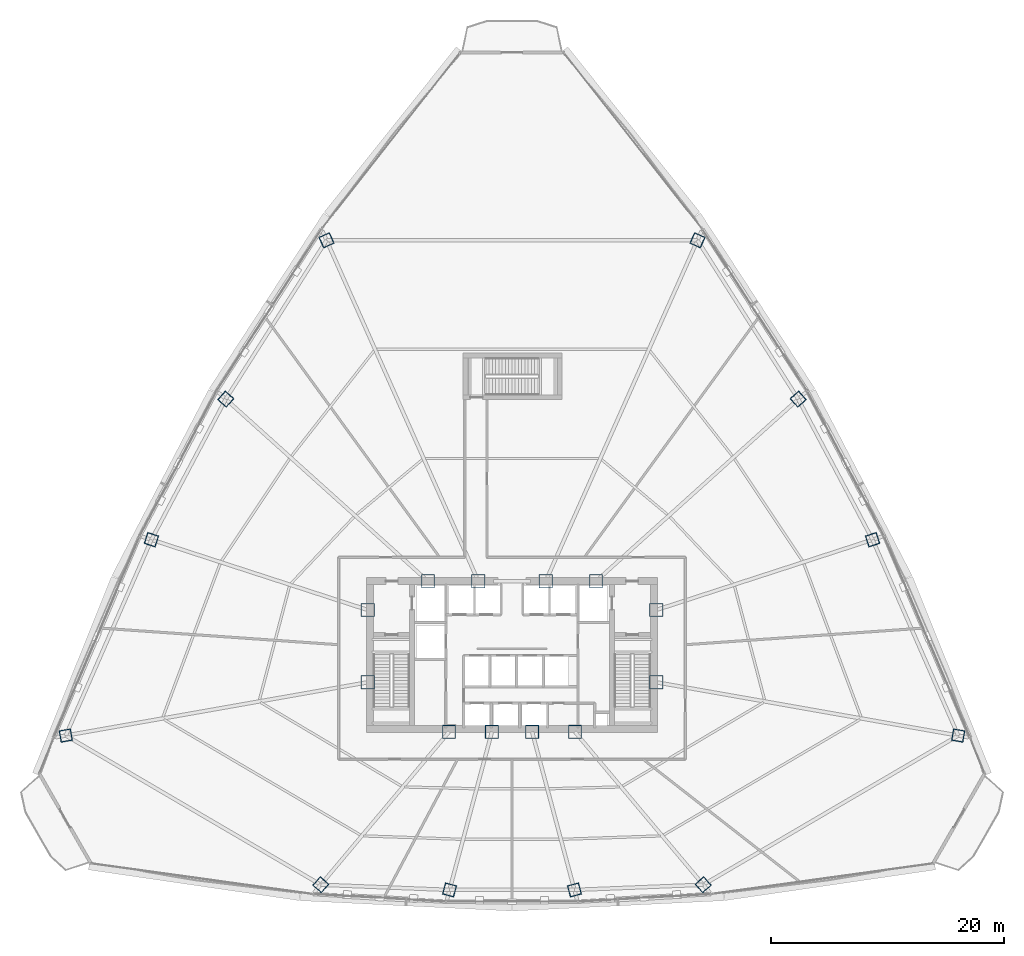
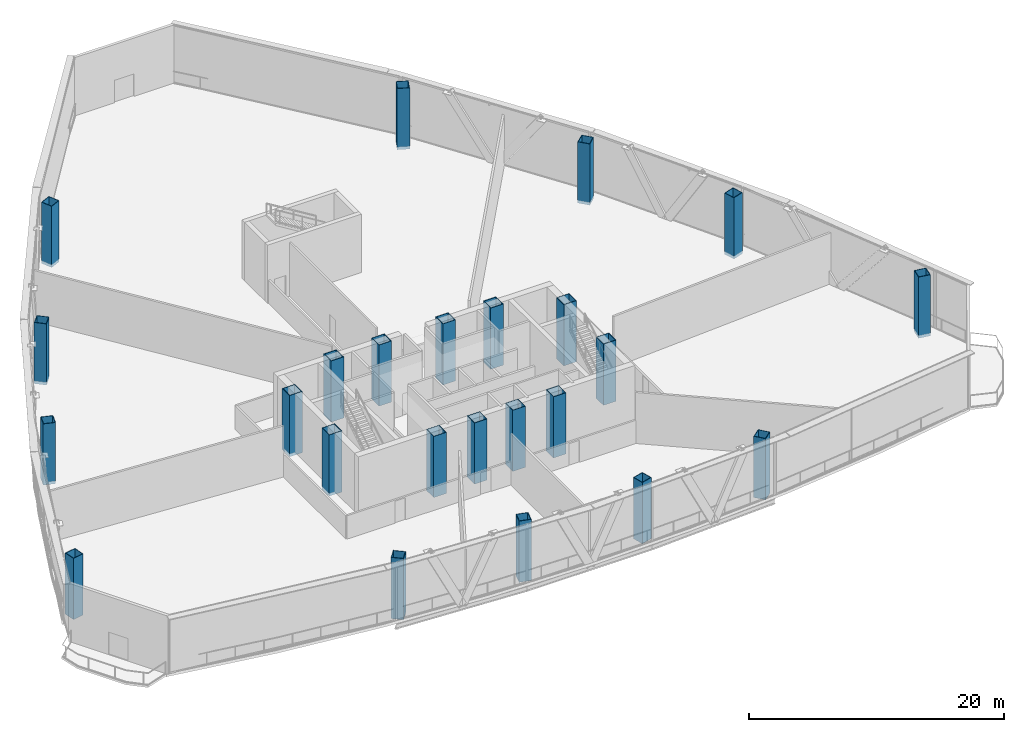
# One storey, part 1 of 36: 24 columns.
"""IFC4 building model written with IfcOpenShell, lengths in metres."""

from ifc_helpers import new_model, si_unit, direction, frame, origin, origin_2d, place, context, subcontext, project, spatial, hollow_rectangle, extrude, source, transform, mapped, material, material_profile, profile_set, type_object, element, save


model = new_model("IFC4")

# Units and contexts
model_context = context("Model", 3, precision=1e-05, world=origin(), true_north=direction((0.0, 1.0)))
body_context = subcontext(model_context, "Body", "Model", "MODEL_VIEW")
ifc_project = project(units=[si_unit("LENGTHUNIT", "METRE"), si_unit("AREAUNIT", "SQUARE_METRE"), si_unit("VOLUMEUNIT", "CUBIC_METRE"), si_unit("PLANEANGLEUNIT", "RADIAN"), si_unit("MASSUNIT", "GRAM", prefix="KILO"), si_unit("THERMODYNAMICTEMPERATUREUNIT", "KELVIN"), si_unit("POWERUNIT", "WATT")], contexts=[model_context])

# Site, building, storey
site_placement = place(None, origin())
site = spatial("IfcSite", under=ifc_project, at=site_placement, CompositionType="ELEMENT")
building_placement = place(site_placement, origin())
building = spatial("IfcBuilding", under=site, at=building_placement, Name="Yunzhuo Pagoda Commons", CompositionType="ELEMENT")
storey_placement = place(building_placement, frame((0.0, 0.0, 119.179931640625)))
storey = spatial("IfcBuildingStorey", under=building, at=storey_placement, Name="L30", CompositionType="ELEMENT", Elevation=119.179931640625)

# Columns
ifc_material = material(Name="Structural steel Q420B", Category="steel")
ifc_material_profile_1 = material_profile(ifc_material, hollow_rectangle(XDim=1.14990234375, YDim=1.14990234375, WallThickness=0.048095703125, at=origin_2d()), Name="Structural steel Q420B")
ifc_profile_set_1 = profile_set([ifc_material_profile_1], Name="Structural steel Q420B")
column_type_1 = type_object("IfcColumnType", Name="C-COR Column BOX 1150x1150x48", PredefinedType="COLUMN", material=ifc_profile_set_1)
shared_shape_1 = source(origin(), body_context, "Body", "SweptSolid", [
    extrude(hollow_rectangle(XDim=1.14990234375, YDim=1.14990234375, WallThickness=0.048095703125, at=origin_2d()), origin(), (0.0, 0.0, 1.0), 5.85009765625),
])
for number, where, z_axis, x_axis, name in (
    (1, (42.587890625, 27.25, -0.280029296875), (0.0, 0.0, 1.0), (1.0, 0.0, 0.0), "L30 core composite column F1C1"),
    (2, (46.27197265625, 27.25, -0.280029296875), (0.0, 0.0, 1.0), (1.0, 0.0, 0.0), "L30 core composite column F1C2"),
    (3, (49.728515625, 27.25, -0.280029296875), (0.0, 0.0, 1.0), (1.0, 0.0, 0.0), "L30 core composite column F1C3"),
    (4, (53.412109375, 27.25, -0.280029296875), (0.0, 0.0, 1.0), (1.0, 0.0, 0.0), "L30 core composite column F1C4"),
    (5, (60.39990234375, 31.513427734375, -0.280029296875), (0.0, 0.0, 1.0), (1.0, 0.0, 0.0), "L30 core composite column F2C1"),
    (6, (60.39990234375, 37.72900390625, -0.280029296875), (0.0, 0.0, 1.0), (1.0, 0.0, 0.0), "L30 core composite column F2C2"),
    (7, (55.218994140625, 40.199951171875, -0.280029296875), (0.0, 0.0, 1.0), (1.0, 0.0, 0.0), "L30 core composite column F2C3"),
    (8, (50.89404296875, 40.199951171875, -0.280029296875), (0.0, 0.0, 1.0), (1.0, 0.0, 0.0), "L30 core composite column F2C4"),
    (9, (45.10595703125, 40.199951171875, -0.280029296875), (0.0, 0.0, 1.0), (1.0, 0.0, 0.0), "L30 core composite column F3C1"),
    (10, (40.781005859375, 40.199951171875, -0.280029296875), (0.0, 0.0, 1.0), (1.0, 0.0, 0.0), "L30 core composite column F3C2"),
    (11, (35.60009765625, 37.72900390625, -0.280029296875), (0.0, 0.0, 1.0), (1.0, 0.0, 0.0), "L30 core composite column F3C3"),
    (12, (35.60009765625, 31.513427734375, -0.280029296875), (0.0, 0.0, 1.0), (1.0, 0.0, 0.0), "L30 core composite column F3C4"),
):
    element("IfcColumn", number, at=place(storey_placement, frame(where, z_axis=z_axis, x_axis=x_axis)), inside=storey, type_object=column_type_1, Name=name, PredefinedType="COLUMN", context=body_context, shape_type="MappedRepresentation", body=[
        mapped(shared_shape_1, transform((0.0, 0.0, 0.0), scale=1.0)),
    ])
ifc_material_profile_2 = material_profile(ifc_material, hollow_rectangle(XDim=1.0, YDim=1.0, WallThickness=0.0419921875, at=origin_2d()), Name="Structural steel Q420B")
ifc_profile_set_2 = profile_set([ifc_material_profile_2], Name="Structural steel Q420B")
column_type_2 = type_object("IfcColumnType", Name="C-Z2 Column BOX 1000x1000x42", PredefinedType="COLUMN", material=ifc_profile_set_2)
shared_shape_2 = source(origin(), body_context, "Body", "SweptSolid", [
    extrude(hollow_rectangle(XDim=1.0, YDim=1.0, WallThickness=0.0419921875, at=origin_2d()), origin(), (0.0, 0.0, 1.0), 5.85009765625),
])
for number, where, z_axis, x_axis, name in (
    (13, (31.56396484375, 14.1123046875, -0.280029296875), (0.0, 0.0, 1.0), (0.766044443119, -0.642787609687, 0.0), "L30 tower column F1C1"),
    (14, (42.632568359375, 13.66845703125, -0.280029296875), (0.0, 0.0, 1.0), (0.965925826289, -0.258819045103, 0.0), "L30 tower column F1C2"),
    (15, (53.367431640625, 13.66845703125, -0.280029296875), (0.0, 0.0, 1.0), (0.965925826289, 0.258819045103, 0.0), "L30 tower column F1C3"),
    (16, (64.43603515625, 14.1123046875, -0.280029296875), (0.0, 0.0, 1.0), (0.766044443119, 0.642787609687, 0.0), "L30 tower column F1C4"),
    (17, (86.352783203125, 26.9375, -0.280029296875), (0.0, 0.0, 1.0), (0.173648177667, 0.984807753012, 0.0), "L30 tower column F2C1"),
    (18, (78.99072265625, 43.76953125, -0.280029296875), (0.0, 0.0, 1.0), (-0.309016994375, 0.951056516295, 0.0), "L30 tower column F2C2"),
    (19, (72.602783203125, 55.852294921875, -0.280029296875), (0.0, 0.0, 1.0), (-0.669130606359, 0.743144825477, 0.0), "L30 tower column F2C3"),
    (20, (63.94140625, 69.505126953125, -0.280029296875), (0.0, 0.0, 1.0), (-0.913545457643, 0.406736643076, 0.0), "L30 tower column F2C4"),
    (21, (32.05859375, 69.505126953125, -0.280029296875), (0.0, 0.0, 1.0), (-0.913545457643, -0.406736643076, 0.0), "L30 tower column F3C1"),
    (22, (23.397216796875, 55.852294921875, -0.280029296875), (0.0, 0.0, 1.0), (-0.669130606359, -0.743144825477, 0.0), "L30 tower column F3C2"),
    (23, (17.00927734375, 43.76953125, -0.280029296875), (0.0, 0.0, 1.0), (-0.309016994375, -0.951056516295, 0.0), "L30 tower column F3C3"),
    (24, (9.647216796875, 26.9375, -0.280029296875), (0.0, 0.0, 1.0), (0.173648177667, -0.984807753012, 0.0), "L30 tower column F3C4"),
):
    element("IfcColumn", number, at=place(storey_placement, frame(where, z_axis=z_axis, x_axis=x_axis)), inside=storey, type_object=column_type_2, Name=name, PredefinedType="COLUMN", context=body_context, shape_type="MappedRepresentation", body=[
        mapped(shared_shape_2, transform((0.0, 0.0, 0.0), scale=1.0)),
    ])

save(model, "model.ifc")
